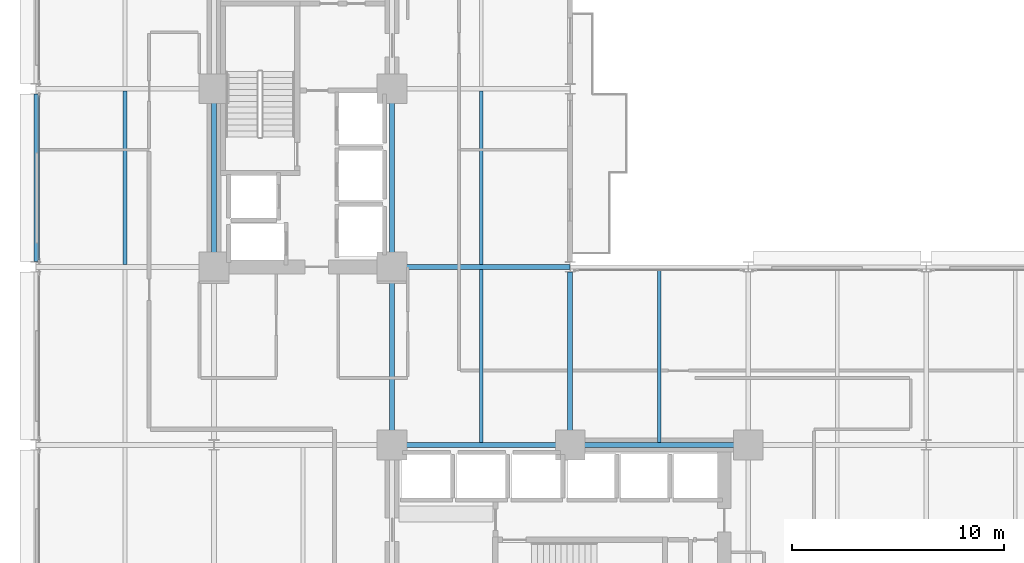
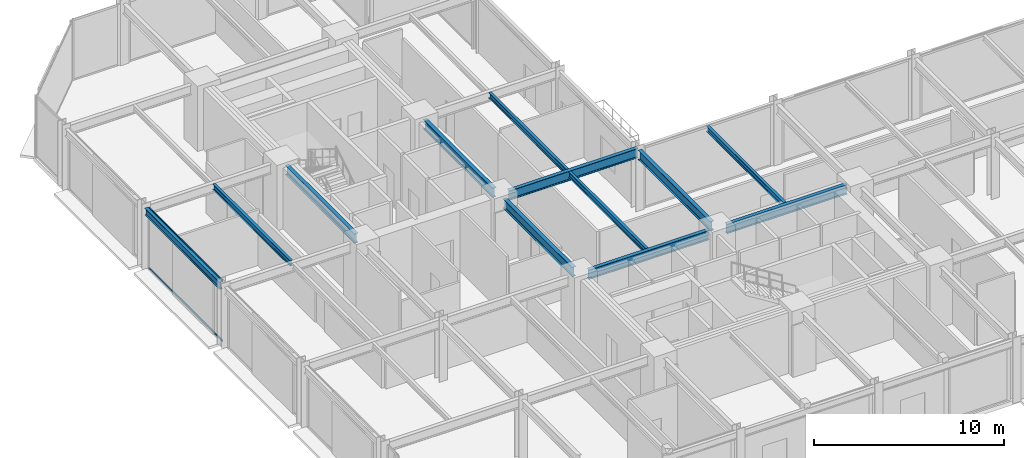
# One storey, part 7 of 25: 12 beams, 2 members, 1 element without a shape of its own.
"""IFC4 building model written with IfcOpenShell, lengths in metres."""

from ifc_helpers import new_model, si_unit, direction, frame, origin, origin_2d, place, context, subcontext, project, spatial, hollow_rectangle, i_section, extrude, material, layer, layer_set, material_profile, profile_set, type_object, element, aggregate, save


model = new_model("IFC4")

# Units and contexts
model_context = context("Model", 3, precision=1e-05, world=origin(), true_north=direction((0.0, 1.0)))
body_context = subcontext(model_context, "Body", "Model", "MODEL_VIEW")
ifc_project = project(units=[si_unit("LENGTHUNIT", "METRE"), si_unit("AREAUNIT", "SQUARE_METRE"), si_unit("VOLUMEUNIT", "CUBIC_METRE"), si_unit("PLANEANGLEUNIT", "RADIAN"), si_unit("MASSUNIT", "GRAM", prefix="KILO")], contexts=[model_context])

# Site, building, storey
site_placement = place(None, origin())
site = spatial("IfcSite", under=ifc_project, at=site_placement, CompositionType="ELEMENT")
building_placement = place(site_placement, origin())
building = spatial("IfcBuilding", under=site, at=building_placement, Name="Nerrivon Quay Data Exchange", CompositionType="ELEMENT")
storey_placement = place(building_placement, frame((0.0, 0.0, 54.199951171875)))
storey = spatial("IfcBuildingStorey", under=building, at=storey_placement, Name="L12", CompositionType="ELEMENT", Elevation=54.199951171875)

# Beams
ifc_material_1 = material(Name="Steel Grade 350", Category="steel")
ifc_material_profile_1 = material_profile(ifc_material_1, i_section(OverallWidth=0.22900390625, OverallDepth=0.612060546875, WebThickness=0.011962890625, FlangeThickness=0.01953125, FilletRadius=0.013916015625, at=origin_2d()), Name="610UB125")
ifc_profile_set_1 = profile_set([ifc_material_profile_1], Name="Steel Grade 350")
beam_type_1 = type_object("IfcBeamType", Name="BM-G1-610UB125", PredefinedType="BEAM", material=ifc_profile_set_1)
beam_1_placement = place(storey_placement, frame((17.340087890625, 16.800048828125, 3.619140625), z_axis=(1.0, 0.0, 0.0), x_axis=(0.0, 1.0, 0.0)))
element("IfcBeam", 1, at=beam_1_placement, inside=storey, type_object=beam_type_1, Name="L12 EW Girder Y=16.8 (16.8..25.2)", PredefinedType="BEAM", context=body_context, shape_type="SweptSolid", body=[
    extrude(i_section(OverallWidth=0.22900390625, OverallDepth=0.612060546875, WebThickness=0.011962890625, FlangeThickness=0.01953125, FilletRadius=0.013916015625, at=origin_2d()), origin(), (0.0, 0.0, 1.0), 7.31982421875),
])
beam_2_placement = place(storey_placement, frame((25.739990234375, 16.800048828125, 3.619140625), z_axis=(1.0, 0.0, 0.0), x_axis=(0.0, 1.0, 0.0)))
element("IfcBeam", 2, at=beam_2_placement, inside=storey, type_object=beam_type_1, Name="L12 EW Girder Y=16.8 (25.2..33.6)", PredefinedType="BEAM", context=body_context, shape_type="SweptSolid", body=[
    extrude(i_section(OverallWidth=0.22900390625, OverallDepth=0.612060546875, WebThickness=0.011962890625, FlangeThickness=0.01953125, FilletRadius=0.013916015625, at=origin_2d()), origin(), (0.0, 0.0, 1.0), 7.320068359375),
])
beam_3_placement = place(storey_placement, frame((17.340087890625, 25.199951171875, 3.619140625), z_axis=(1.0, 0.0, 0.0), x_axis=(0.0, 1.0, 0.0)))
element("IfcBeam", 3, at=beam_3_placement, inside=storey, type_object=beam_type_1, Name="L12 EW Girder Y=25.2 (16.8..25.2)", PredefinedType="BEAM", context=body_context, shape_type="SweptSolid", body=[
    extrude(i_section(OverallWidth=0.22900390625, OverallDepth=0.612060546875, WebThickness=0.011962890625, FlangeThickness=0.01953125, FilletRadius=0.013916015625, at=origin_2d()), origin(), (0.0, 0.0, 1.0), 7.845947265625),
])
ifc_material_profile_2 = material_profile(ifc_material_1, i_section(OverallWidth=0.22802734375, OverallDepth=0.60205078125, WebThickness=0.010498046875, FlangeThickness=0.014892578125, FilletRadius=0.013916015625, at=origin_2d()), Name="610UB101")
ifc_profile_set_2 = profile_set([ifc_material_profile_2], Name="Steel Grade 350")
beam_type_2 = type_object("IfcBeamType", Name="BM-G2-610UB101", PredefinedType="BEAM", material=ifc_profile_set_2)
beam_4_placement = place(storey_placement, frame((8.39990234375, 25.739990234375, 3.6240234375), z_axis=(0.0, 1.0, 0.0), x_axis=(-1.0, 0.0, 0.0)))
element("IfcBeam", 4, at=beam_4_placement, inside=storey, type_object=beam_type_2, Name="L12 NS Girder X=8.4 (25.2..33.6)", PredefinedType="BEAM", context=body_context, shape_type="SweptSolid", body=[
    extrude(i_section(OverallWidth=0.22802734375, OverallDepth=0.60205078125, WebThickness=0.010498046875, FlangeThickness=0.014892578125, FilletRadius=0.013916015625, at=origin_2d()), origin(), (0.0, 0.0, 1.0), 7.320068359375),
])
beam_5_placement = place(storey_placement, frame((16.800048828125, 17.340087890625, 3.6240234375), z_axis=(0.0, 1.0, 0.0), x_axis=(-1.0, 0.0, 0.0)))
element("IfcBeam", 5, at=beam_5_placement, inside=storey, type_object=beam_type_2, Name="L12 NS Girder X=16.8 (16.8..25.2)", PredefinedType="BEAM", context=body_context, shape_type="SweptSolid", body=[
    extrude(i_section(OverallWidth=0.22802734375, OverallDepth=0.60205078125, WebThickness=0.010498046875, FlangeThickness=0.014892578125, FilletRadius=0.013916015625, at=origin_2d()), origin(), (0.0, 0.0, 1.0), 7.31982421875),
])
beam_6_placement = place(storey_placement, frame((16.800048828125, 25.739990234375, 3.6240234375), z_axis=(0.0, 1.0, 0.0), x_axis=(-1.0, 0.0, 0.0)))
element("IfcBeam", 6, at=beam_6_placement, inside=storey, type_object=beam_type_2, Name="L12 NS Girder X=16.8 (25.2..33.6)", PredefinedType="BEAM", context=body_context, shape_type="SweptSolid", body=[
    extrude(i_section(OverallWidth=0.22802734375, OverallDepth=0.60205078125, WebThickness=0.010498046875, FlangeThickness=0.014892578125, FilletRadius=0.013916015625, at=origin_2d()), origin(), (0.0, 0.0, 1.0), 7.320068359375),
])
beam_7_placement = place(storey_placement, frame((25.199951171875, 17.340087890625, 3.6240234375), z_axis=(0.0, 1.0, 0.0), x_axis=(-1.0, 0.0, 0.0)))
element("IfcBeam", 7, at=beam_7_placement, inside=storey, type_object=beam_type_2, Name="L12 NS Girder X=25.2 (16.8..25.2)", PredefinedType="BEAM", context=body_context, shape_type="SweptSolid", body=[
    extrude(i_section(OverallWidth=0.22802734375, OverallDepth=0.60205078125, WebThickness=0.010498046875, FlangeThickness=0.014892578125, FilletRadius=0.013916015625, at=origin_2d()), origin(), (0.0, 0.0, 1.0), 7.60986328125),
])
ifc_material_profile_3 = material_profile(ifc_material_1, i_section(OverallWidth=0.172119140625, OverallDepth=0.35888671875, WebThickness=0.008056640625, FlangeThickness=0.012939453125, FilletRadius=0.011474609375, at=origin_2d()), Name="360UB56.7")
ifc_profile_set_3 = profile_set([ifc_material_profile_3], Name="Steel Grade 350")
beam_type_3 = type_object("IfcBeamType", Name="BM-J3-360UB57", PredefinedType="JOIST", material=ifc_profile_set_3)
beam_8_placement = place(storey_placement, frame((4.199951171875, 25.314453125, 3.74560546875), z_axis=(0.0, 1.0, 0.0), x_axis=(-1.0, 0.0, 0.0)))
element("IfcBeam", 8, at=beam_8_placement, inside=storey, type_object=beam_type_3, Name="L12 Secondary Joist X=4.2 (25.2..33.6)", PredefinedType="JOIST", context=body_context, shape_type="SweptSolid", body=[
    extrude(i_section(OverallWidth=0.172119140625, OverallDepth=0.35888671875, WebThickness=0.008056640625, FlangeThickness=0.012939453125, FilletRadius=0.011474609375, at=origin_2d()), origin(), (0.0, 0.0, 1.0), 8.171142578125),
])
beam_9_placement = place(storey_placement, frame((21.0, 16.91455078125, 3.74560546875), z_axis=(0.0, 1.0, 0.0), x_axis=(-1.0, 0.0, 0.0)))
element("IfcBeam", 9, at=beam_9_placement, inside=storey, type_object=beam_type_3, Name="L12 Secondary Joist X=21.0 (16.8..25.2)", PredefinedType="JOIST", context=body_context, shape_type="SweptSolid", body=[
    extrude(i_section(OverallWidth=0.172119140625, OverallDepth=0.35888671875, WebThickness=0.008056640625, FlangeThickness=0.012939453125, FilletRadius=0.011474609375, at=origin_2d()), origin(), (0.0, 0.0, 1.0), 8.1708984375),
])
beam_10_placement = place(storey_placement, frame((21.0, 25.314453125, 3.74560546875), z_axis=(0.0, 1.0, 0.0), x_axis=(-1.0, 0.0, 0.0)))
element("IfcBeam", 10, at=beam_10_placement, inside=storey, type_object=beam_type_3, Name="L12 Secondary Joist X=21.0 (25.2..33.6)", PredefinedType="JOIST", context=body_context, shape_type="SweptSolid", body=[
    extrude(i_section(OverallWidth=0.172119140625, OverallDepth=0.35888671875, WebThickness=0.008056640625, FlangeThickness=0.012939453125, FilletRadius=0.011474609375, at=origin_2d()), origin(), (0.0, 0.0, 1.0), 8.171142578125),
])
beam_11_placement = place(storey_placement, frame((29.39990234375, 16.91455078125, 3.74560546875), z_axis=(0.0, 1.0, 0.0), x_axis=(-1.0, 0.0, 0.0)))
element("IfcBeam", 11, at=beam_11_placement, inside=storey, type_object=beam_type_3, Name="L12 Secondary Joist X=29.4 (16.8..25.2)", PredefinedType="JOIST", context=body_context, shape_type="SweptSolid", body=[
    extrude(i_section(OverallWidth=0.172119140625, OverallDepth=0.35888671875, WebThickness=0.008056640625, FlangeThickness=0.012939453125, FilletRadius=0.011474609375, at=origin_2d()), origin(), (0.0, 0.0, 1.0), 8.1904296875),
])
ifc_material_profile_4 = material_profile(ifc_material_1, i_section(OverallWidth=0.18994140625, OverallDepth=0.4541015625, WebThickness=0.008544921875, FlangeThickness=0.0126953125, FilletRadius=0.011474609375, at=origin_2d()), Name="460UB67.1")
ifc_profile_set_4 = profile_set([ifc_material_profile_4], Name="Steel Grade 350")
beam_type_4 = type_object("IfcBeamType", Name="BM-SP1-460UB67", PredefinedType="SPANDREL", material=ifc_profile_set_4)
beam_12_placement = place(storey_placement, frame((0.0, 25.449951171875, 3.697998046875), z_axis=(0.0, 1.0, 0.0), x_axis=(-1.0, 0.0, 0.0)))
element("IfcBeam", 12, at=beam_12_placement, inside=storey, type_object=beam_type_4, Name="L12 NS Girder X=0.0 (25.2..33.6)", PredefinedType="SPANDREL", context=body_context, shape_type="SweptSolid", body=[
    extrude(i_section(OverallWidth=0.18994140625, OverallDepth=0.4541015625, WebThickness=0.008544921875, FlangeThickness=0.0126953125, FilletRadius=0.011474609375, at=origin_2d()), origin(), (0.0, 0.0, 1.0), 7.900146484375),
])

# Curtain wall, members
ifc_material_2 = material(Name="Anodised aluminium 6063-T6", Category="aluminium")
ifc_layer = layer(ifc_material_2, 0.219970703125)
ifc_layer_set = layer_set([ifc_layer], Name="Anodised aluminium 6063-T6")
curtain_wall_type = type_object("IfcCurtainWallType", Name="CW-SYS-01", PredefinedType="NOTDEFINED", material=ifc_layer_set)
curtain_wall_placement = place(storey_placement, origin())
curtain_wall = element("IfcCurtainWall", 13, at=curtain_wall_placement, inside=storey, type_object=curtain_wall_type, Name="L12 Unitised Curtain Wall 16", PredefinedType="NOTDEFINED")
ifc_material_profile_5 = material_profile(ifc_material_2, hollow_rectangle(XDim=0.06005859375, YDim=0.1201171875, WallThickness=0.003173828125, at=origin_2d()), Name="ALU-TRAN-120x60")
ifc_profile_set_5 = profile_set([ifc_material_profile_5], Name="Anodised aluminium 6063-T6")
member_type = type_object("IfcMemberType", Name="CWT-120x60", PredefinedType="USERDEFINED", material=ifc_profile_set_5)
member_1_placement = place(storey_placement, frame((0.139892578125, 25.52490234375, 0.032470703125), z_axis=(0.0, 1.0, 0.0), x_axis=(-1.0, 0.0, 0.0)))
member_1 = element("IfcMember", 14, at=member_1_placement, type_object=member_type, Name="CW01 transom 1.1", ObjectType="TRANSOM", PredefinedType="USERDEFINED", context=body_context, shape_type="SweptSolid", body=[
    extrude(hollow_rectangle(XDim=0.06005859375, YDim=0.1201171875, WallThickness=0.003173828125, at=origin_2d()), origin(), (0.0, 0.0, 1.0), 7.75),
])
member_2_placement = place(storey_placement, frame((0.139892578125, 25.52490234375, 3.892578125), z_axis=(0.0, 1.0, 0.0), x_axis=(-1.0, 0.0, 0.0)))
member_2 = element("IfcMember", 15, at=member_2_placement, type_object=member_type, Name="CW01 transom 1.2", ObjectType="TRANSOM", PredefinedType="USERDEFINED", context=body_context, shape_type="SweptSolid", body=[
    extrude(hollow_rectangle(XDim=0.06005859375, YDim=0.1201171875, WallThickness=0.003173828125, at=origin_2d()), origin(), (0.0, 0.0, 1.0), 7.75),
])
aggregate(curtain_wall, [member_1, member_2])

save(model, "model.ifc")
